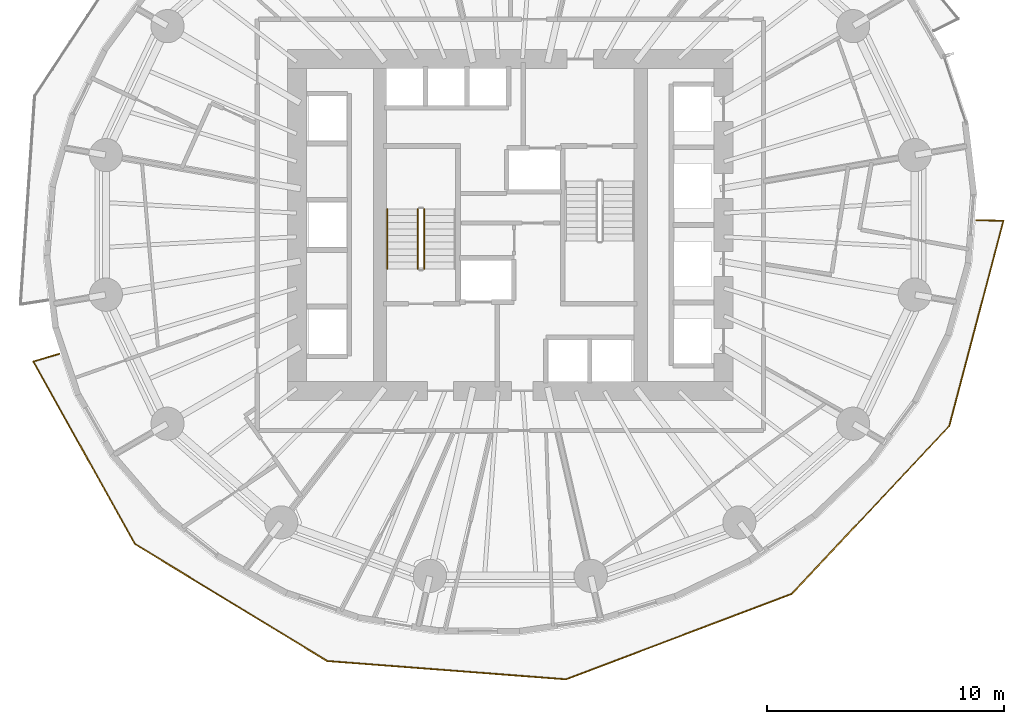
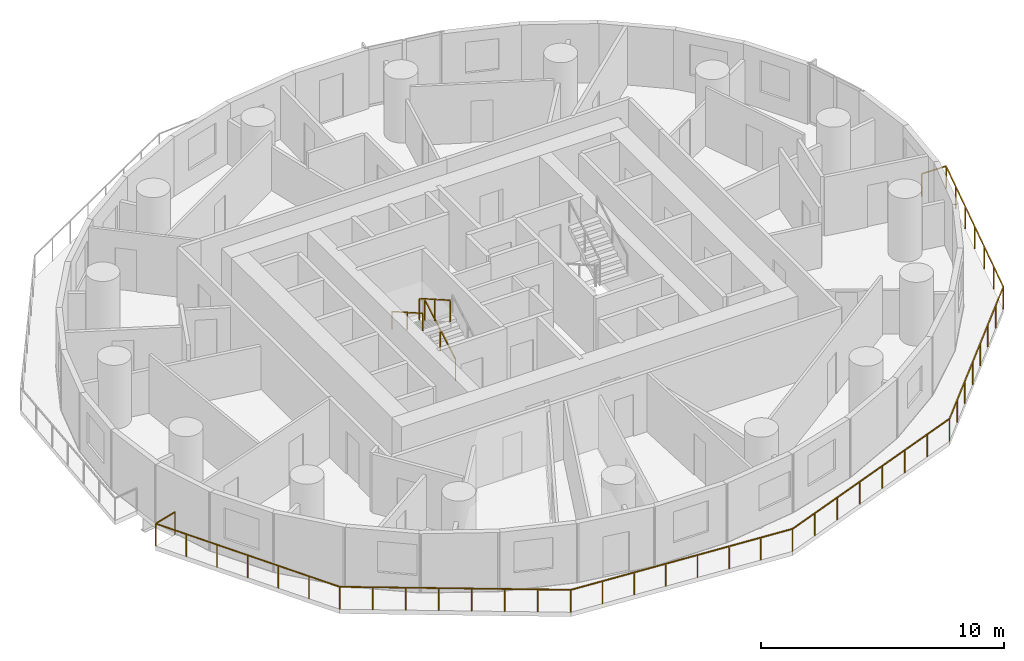
# One storey, part 11 of 13: 4 railings.
"""IFC4 building model written with IfcOpenShell, lengths in metres."""

from ifc_helpers import new_model, si_unit, direction, frame, origin, origin_2d, place, context, subcontext, project, spatial, rectangle, extrude, material, type_object, element, save


model = new_model("IFC4")

# Units and contexts
model_context = context("Model", 3, precision=1e-05, world=origin(), true_north=direction((0.0, 1.0)))
body_context = subcontext(model_context, "Body", "Model", "MODEL_VIEW")
ifc_project = project(units=[si_unit("LENGTHUNIT", "METRE"), si_unit("AREAUNIT", "SQUARE_METRE"), si_unit("VOLUMEUNIT", "CUBIC_METRE"), si_unit("PLANEANGLEUNIT", "RADIAN"), si_unit("MASSUNIT", "GRAM", prefix="KILO")], contexts=[model_context])

# Site, building, storey
site_placement = place(None, origin())
site = spatial("IfcSite", under=ifc_project, at=site_placement, CompositionType="ELEMENT")
building_placement = place(site_placement, origin())
building = spatial("IfcBuilding", under=site, at=building_placement, Name="Veldorim Arch Residences", CompositionType="ELEMENT")
storey_placement = place(building_placement, frame((0.0, 0.0, 56.800048828125)))
storey = spatial("IfcBuildingStorey", under=building, at=storey_placement, Name="L16", CompositionType="ELEMENT", Elevation=56.800048828125)

# Railings
ifc_material_1 = material(Name="Aluminium", Category="aluminium")
railing_type_1 = type_object("IfcRailingType", Name="Balcony & Terrace Laminated Glass Balustrade 1150", PredefinedType="BALUSTRADE", material=ifc_material_1)
railing_1_placement = place(storey_placement, frame((12.97314453125, 18.56103515625, 0.0)))
element("IfcRailing", 1, at=railing_1_placement, inside=storey, type_object=railing_type_1, Name="L16 crescent balcony safety balustrade B", PredefinedType="BALUSTRADE", context=body_context, shape_type="SweptSolid", body=[
    extrude(rectangle(XDim=0.048095703125, YDim=0.048095703125, at=origin_2d()), frame((0.0, 0.0, 1.1259765625), z_axis=(-0.959067510263, -0.283177525164, 0.0), x_axis=(0.283177525164, -0.959067510263, 0.0)), (0.0, 0.0, 1.0), 1.150146484375),
    extrude(rectangle(XDim=0.048095703125, YDim=0.048095703125, at=origin_2d()), frame((-1.10302734375, -0.32568359375, 1.1259765625), z_axis=(0.486334280984, -0.873772834974, 0.0), x_axis=(0.873772834974, 0.486334280984, 0.0)), (0.0, 0.0, 1.0), 8.813232421875),
    extrude(rectangle(XDim=0.048095703125, YDim=0.048095703125, at=origin_2d()), frame((3.18310546875, -8.0263671875, 1.1259765625), z_axis=(0.854199547936, -0.51994531665, 0.0), x_axis=(0.51994531665, 0.854199547936, 0.0)), (0.0, 0.0, 1.0), 9.501708984375),
    extrude(rectangle(XDim=0.048095703125, YDim=0.048095703125, at=origin_2d()), frame((11.299560546875, -12.966796875, 1.1259765625), z_axis=(0.997079586608, -0.076369483239, 0.0), x_axis=(0.076369483239, 0.997079586608, 0.0)), (0.0, 0.0, 1.0), 10.105224609375),
    extrude(rectangle(XDim=0.048095703125, YDim=0.048095703125, at=origin_2d()), frame((21.375244140625, -13.738525390625, 1.1259765625), z_axis=(0.935251341764, 0.353984360853, 0.0), x_axis=(-0.353984360853, 0.935251341764, 0.0)), (0.0, 0.0, 1.0), 10.197021484375),
    extrude(rectangle(XDim=0.048095703125, YDim=0.048095703125, at=origin_2d()), frame((30.912109375, -10.12890625, 1.1259765625), z_axis=(0.684006377975, 0.729476027632, 0.0), x_axis=(-0.729476027632, 0.684006377975, 0.0)), (0.0, 0.0, 1.0), 9.707763671875),
    extrude(rectangle(XDim=0.048095703125, YDim=0.048095703125, at=origin_2d()), frame((37.55224609375, -3.04736328125, 1.1259765625), z_axis=(0.255088801276, 0.966917630134, 0.0), x_axis=(-0.966917630134, 0.255088801276, 0.0)), (0.0, 0.0, 1.0), 8.959228515625),
    extrude(rectangle(XDim=0.048095703125, YDim=0.048095703125, at=origin_2d()), frame((39.837646484375, 5.615478515625, 1.1259765625), z_axis=(-0.999792348359, 0.020377933215, 0.0), x_axis=(-0.020377933215, -0.999792348359, 0.0)), (0.0, 0.0, 1.0), 1.150146484375),
    extrude(rectangle(XDim=0.0419921875, YDim=0.0419921875, at=origin_2d()), origin(), (0.0, 0.0, 1.0), 1.101806640625),
    extrude(rectangle(XDim=0.0419921875, YDim=0.0419921875, at=origin_2d()), frame((-1.10302734375, -0.32568359375, 0.0)), (0.0, 0.0, 1.0), 1.101806640625),
    extrude(rectangle(XDim=0.0419921875, YDim=0.0419921875, at=origin_2d()), frame((-0.388671875, -1.609130859375, 0.0)), (0.0, 0.0, 1.0), 1.101806640625),
    extrude(rectangle(XDim=0.0419921875, YDim=0.0419921875, at=origin_2d()), frame((0.32568359375, -2.892578125, 0.0)), (0.0, 0.0, 1.0), 1.101806640625),
    extrude(rectangle(XDim=0.0419921875, YDim=0.0419921875, at=origin_2d()), frame((1.0400390625, -4.176025390625, 0.0)), (0.0, 0.0, 1.0), 1.101806640625),
    extrude(rectangle(XDim=0.0419921875, YDim=0.0419921875, at=origin_2d()), frame((1.75439453125, -5.45947265625, 0.0)), (0.0, 0.0, 1.0), 1.101806640625),
    extrude(rectangle(XDim=0.0419921875, YDim=0.0419921875, at=origin_2d()), frame((2.46875, -6.742919921875, 0.0)), (0.0, 0.0, 1.0), 1.101806640625),
    extrude(rectangle(XDim=0.0419921875, YDim=0.0419921875, at=origin_2d()), frame((3.18310546875, -8.0263671875, 0.0)), (0.0, 0.0, 1.0), 1.101806640625),
    extrude(rectangle(XDim=0.0419921875, YDim=0.0419921875, at=origin_2d()), frame((4.342529296875, -8.732177734375, 0.0)), (0.0, 0.0, 1.0), 1.101806640625),
    extrude(rectangle(XDim=0.0419921875, YDim=0.0419921875, at=origin_2d()), frame((5.502197265625, -9.43798828125, 0.0)), (0.0, 0.0, 1.0), 1.101806640625),
    extrude(rectangle(XDim=0.0419921875, YDim=0.0419921875, at=origin_2d()), frame((6.66162109375, -10.143798828125, 0.0)), (0.0, 0.0, 1.0), 1.101806640625),
    extrude(rectangle(XDim=0.0419921875, YDim=0.0419921875, at=origin_2d()), frame((7.821044921875, -10.849365234375, 0.0)), (0.0, 0.0, 1.0), 1.101806640625),
    extrude(rectangle(XDim=0.0419921875, YDim=0.0419921875, at=origin_2d()), frame((8.98046875, -11.55517578125, 0.0)), (0.0, 0.0, 1.0), 1.101806640625),
    extrude(rectangle(XDim=0.0419921875, YDim=0.0419921875, at=origin_2d()), frame((10.14013671875, -12.260986328125, 0.0)), (0.0, 0.0, 1.0), 1.101806640625),
    extrude(rectangle(XDim=0.0419921875, YDim=0.0419921875, at=origin_2d()), frame((11.299560546875, -12.966796875, 0.0)), (0.0, 0.0, 1.0), 1.101806640625),
    extrude(rectangle(XDim=0.0419921875, YDim=0.0419921875, at=origin_2d()), frame((12.739013671875, -13.0771484375, 0.0)), (0.0, 0.0, 1.0), 1.101806640625),
    extrude(rectangle(XDim=0.0419921875, YDim=0.0419921875, at=origin_2d()), frame((14.17822265625, -13.187255859375, 0.0)), (0.0, 0.0, 1.0), 1.101806640625),
    extrude(rectangle(XDim=0.0419921875, YDim=0.0419921875, at=origin_2d()), frame((15.61767578125, -13.297607421875, 0.0)), (0.0, 0.0, 1.0), 1.101806640625),
    extrude(rectangle(XDim=0.0419921875, YDim=0.0419921875, at=origin_2d()), frame((17.05712890625, -13.40771484375, 0.0)), (0.0, 0.0, 1.0), 1.101806640625),
    extrude(rectangle(XDim=0.0419921875, YDim=0.0419921875, at=origin_2d()), frame((18.49658203125, -13.51806640625, 0.0)), (0.0, 0.0, 1.0), 1.101806640625),
    extrude(rectangle(XDim=0.0419921875, YDim=0.0419921875, at=origin_2d()), frame((19.935791015625, -13.628173828125, 0.0)), (0.0, 0.0, 1.0), 1.101806640625),
    extrude(rectangle(XDim=0.0419921875, YDim=0.0419921875, at=origin_2d()), frame((21.375244140625, -13.738525390625, 0.0)), (0.0, 0.0, 1.0), 1.101806640625),
    extrude(rectangle(XDim=0.0419921875, YDim=0.0419921875, at=origin_2d()), frame((22.737548828125, -13.222900390625, 0.0)), (0.0, 0.0, 1.0), 1.101806640625),
    extrude(rectangle(XDim=0.0419921875, YDim=0.0419921875, at=origin_2d()), frame((24.10009765625, -12.707275390625, 0.0)), (0.0, 0.0, 1.0), 1.101806640625),
    extrude(rectangle(XDim=0.0419921875, YDim=0.0419921875, at=origin_2d()), frame((25.46240234375, -12.191650390625, 0.0)), (0.0, 0.0, 1.0), 1.101806640625),
    extrude(rectangle(XDim=0.0419921875, YDim=0.0419921875, at=origin_2d()), frame((26.824951171875, -11.67578125, 0.0)), (0.0, 0.0, 1.0), 1.101806640625),
    extrude(rectangle(XDim=0.0419921875, YDim=0.0419921875, at=origin_2d()), frame((28.187255859375, -11.16015625, 0.0)), (0.0, 0.0, 1.0), 1.101806640625),
    extrude(rectangle(XDim=0.0419921875, YDim=0.0419921875, at=origin_2d()), frame((29.5498046875, -10.64453125, 0.0)), (0.0, 0.0, 1.0), 1.101806640625),
    extrude(rectangle(XDim=0.0419921875, YDim=0.0419921875, at=origin_2d()), frame((30.912109375, -10.12890625, 0.0)), (0.0, 0.0, 1.0), 1.101806640625),
    extrude(rectangle(XDim=0.0419921875, YDim=0.0419921875, at=origin_2d()), frame((31.860595703125, -9.1171875, 0.0)), (0.0, 0.0, 1.0), 1.101806640625),
    extrude(rectangle(XDim=0.0419921875, YDim=0.0419921875, at=origin_2d()), frame((32.809326171875, -8.105712890625, 0.0)), (0.0, 0.0, 1.0), 1.101806640625),
    extrude(rectangle(XDim=0.0419921875, YDim=0.0419921875, at=origin_2d()), frame((33.7578125, -7.093994140625, 0.0)), (0.0, 0.0, 1.0), 1.101806640625),
    extrude(rectangle(XDim=0.0419921875, YDim=0.0419921875, at=origin_2d()), frame((34.70654296875, -6.082275390625, 0.0)), (0.0, 0.0, 1.0), 1.101806640625),
    extrude(rectangle(XDim=0.0419921875, YDim=0.0419921875, at=origin_2d()), frame((35.655029296875, -5.070556640625, 0.0)), (0.0, 0.0, 1.0), 1.101806640625),
    extrude(rectangle(XDim=0.0419921875, YDim=0.0419921875, at=origin_2d()), frame((36.603759765625, -4.05908203125, 0.0)), (0.0, 0.0, 1.0), 1.101806640625),
    extrude(rectangle(XDim=0.0419921875, YDim=0.0419921875, at=origin_2d()), frame((37.55224609375, -3.04736328125, 0.0)), (0.0, 0.0, 1.0), 1.101806640625),
    extrude(rectangle(XDim=0.0419921875, YDim=0.0419921875, at=origin_2d()), frame((37.93310546875, -1.603515625, 0.0)), (0.0, 0.0, 1.0), 1.101806640625),
    extrude(rectangle(XDim=0.0419921875, YDim=0.0419921875, at=origin_2d()), frame((38.31396484375, -0.15966796875, 0.0)), (0.0, 0.0, 1.0), 1.101806640625),
    extrude(rectangle(XDim=0.0419921875, YDim=0.0419921875, at=origin_2d()), frame((38.69482421875, 1.2841796875, 0.0)), (0.0, 0.0, 1.0), 1.101806640625),
    extrude(rectangle(XDim=0.0419921875, YDim=0.0419921875, at=origin_2d()), frame((39.075927734375, 2.727783203125, 0.0)), (0.0, 0.0, 1.0), 1.101806640625),
    extrude(rectangle(XDim=0.0419921875, YDim=0.0419921875, at=origin_2d()), frame((39.456787109375, 4.171630859375, 0.0)), (0.0, 0.0, 1.0), 1.101806640625),
    extrude(rectangle(XDim=0.0419921875, YDim=0.0419921875, at=origin_2d()), frame((39.837646484375, 5.615478515625, 0.0)), (0.0, 0.0, 1.0), 1.101806640625),
    extrude(rectangle(XDim=0.0419921875, YDim=0.0419921875, at=origin_2d()), frame((38.687744140625, 5.638916015625, 0.0)), (0.0, 0.0, 1.0), 1.101806640625),
])
ifc_material_2 = material(Name="Steel S355", Category="steel")
railing_type_2 = type_object("IfcRailingType", Name="Galvanised Steel Stair Safety Guardrail 1100", PredefinedType="GUARDRAIL", material=ifc_material_2)
railing_2_placement = place(storey_placement, frame((28.360107421875, 22.14990234375, 0.159912109375)))
element("IfcRailing", 2, at=railing_2_placement, inside=storey, type_object=railing_type_2, Name="L16 ST-1 stair guard 1", PredefinedType="GUARDRAIL", context=body_context, shape_type="SweptSolid", body=[
    extrude(rectangle(XDim=0.048095703125, YDim=0.048095703125, at=origin_2d()), frame((0.0, 0.0, 1.076171875), z_axis=(0.0, 0.868253494771, 0.496120820787), x_axis=(-1.0, 0.0, 0.0)), (0.0, 0.0, 1.0), 2.90234375),
    extrude(rectangle(XDim=0.0419921875, YDim=0.0419921875, at=origin_2d()), origin(), (0.0, 0.0, 1.0), 1.052001953125),
    extrude(rectangle(XDim=0.0419921875, YDim=0.0419921875, at=origin_2d()), frame((0.0, 1.260009765625, 0.719970703125)), (0.0, 0.0, 1.0), 1.052001953125),
    extrude(rectangle(XDim=0.0419921875, YDim=0.0419921875, at=origin_2d()), frame((0.0, 2.52001953125, 1.43994140625)), (0.0, 0.0, 1.0), 1.052001953125),
])
railing_3_placement = place(storey_placement, frame((28.10009765625, 24.669921875, 1.760009765625)))
element("IfcRailing", 3, at=railing_3_placement, inside=storey, type_object=railing_type_2, Name="L16 ST-1 stair guard 3", PredefinedType="GUARDRAIL", context=body_context, shape_type="SweptSolid", body=[
    extrude(rectangle(XDim=0.048095703125, YDim=0.048095703125, at=origin_2d()), frame((0.0, 0.0, 1.076171875), z_axis=(0.0, -0.868253494771, 0.496120820787), x_axis=(1.0, 0.0, 0.0)), (0.0, 0.0, 1.0), 2.90234375),
    extrude(rectangle(XDim=0.0419921875, YDim=0.0419921875, at=origin_2d()), origin(), (0.0, 0.0, 1.0), 1.052001953125),
    extrude(rectangle(XDim=0.0419921875, YDim=0.0419921875, at=origin_2d()), frame((0.0, -1.260009765625, 0.719970703125)), (0.0, 0.0, 1.0), 1.052001953125),
    extrude(rectangle(XDim=0.0419921875, YDim=0.0419921875, at=origin_2d()), frame((0.0, -2.52001953125, 1.43994140625)), (0.0, 0.0, 1.0), 1.052001953125),
])
ifc_material_3 = material(Name="Stainless Steel", Category="steel")
railing_type_3 = type_object("IfcRailingType", Name="Tubular Steel Continuous Wall Handrail 900", PredefinedType="HANDRAIL", material=ifc_material_3)
railing_4_placement = place(storey_placement, frame((26.800048828125, 24.669921875, 1.760009765625)))
element("IfcRailing", 4, at=railing_4_placement, inside=storey, type_object=railing_type_3, Name="L16 ST-1 stair handrail 2", PredefinedType="HANDRAIL", context=body_context, shape_type="SweptSolid", body=[
    extrude(rectangle(XDim=0.048095703125, YDim=0.048095703125, at=origin_2d()), frame((0.0, 0.0, 0.8759765625), z_axis=(0.0, -0.868253494771, 0.496120820787), x_axis=(1.0, 0.0, 0.0)), (0.0, 0.0, 1.0), 2.90234375),
    extrude(rectangle(XDim=0.0419921875, YDim=0.0419921875, at=origin_2d()), origin(), (0.0, 0.0, 1.0), 0.851806640625),
    extrude(rectangle(XDim=0.0419921875, YDim=0.0419921875, at=origin_2d()), frame((0.0, -1.260009765625, 0.719970703125)), (0.0, 0.0, 1.0), 0.851806640625),
    extrude(rectangle(XDim=0.0419921875, YDim=0.0419921875, at=origin_2d()), frame((0.0, -2.52001953125, 1.43994140625)), (0.0, 0.0, 1.0), 0.851806640625),
])

save(model, "model.ifc")
